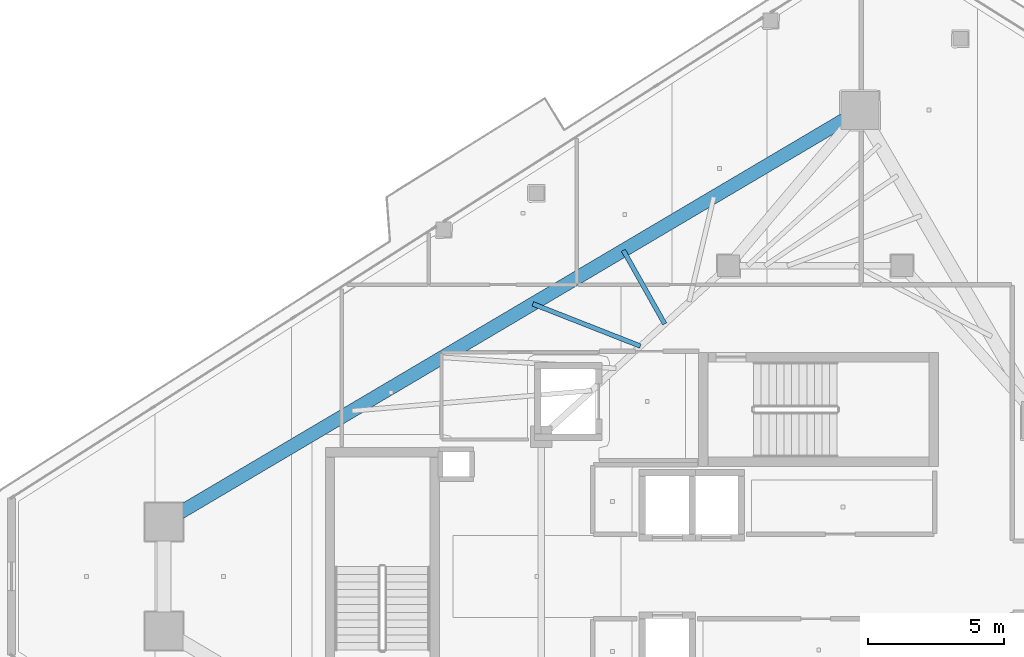
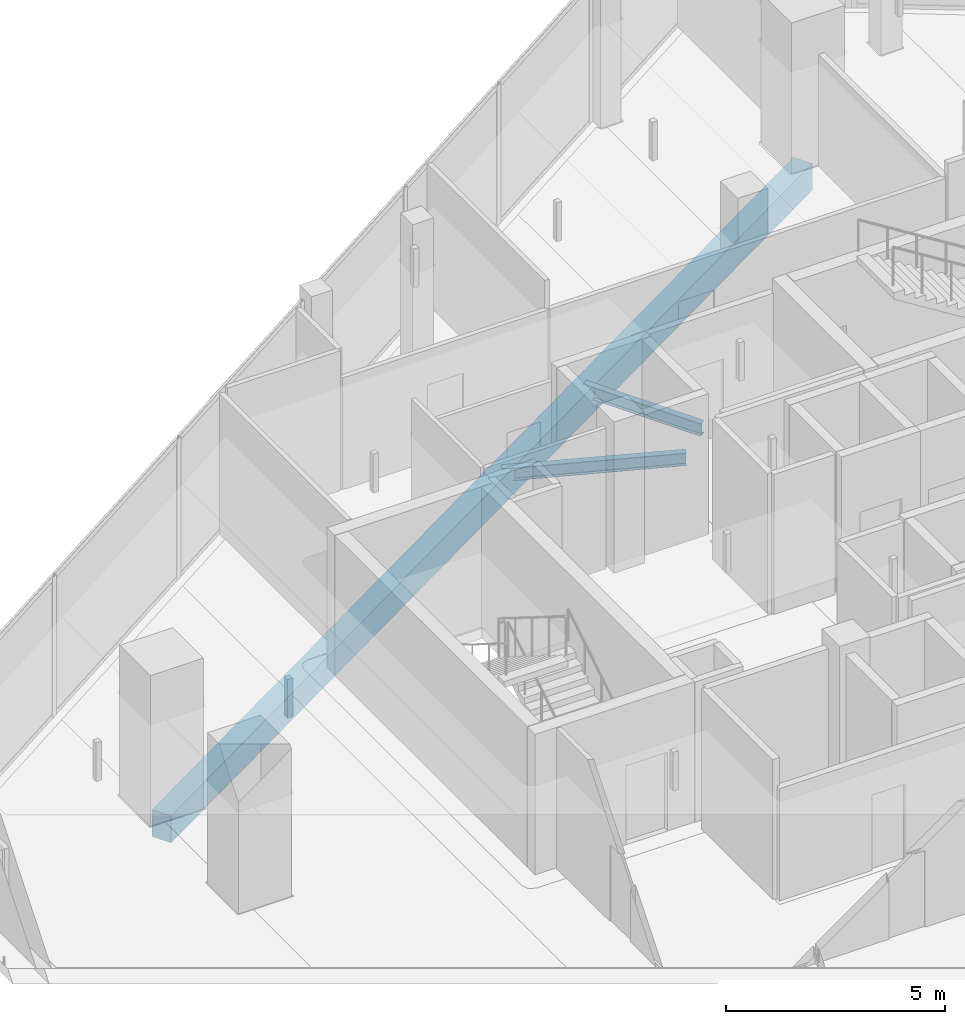
# One storey, part 13 of 27: 3 beams.
"""IFC4 building model written with IfcOpenShell, lengths in metres."""

from ifc_helpers import new_model, si_unit, direction, frame, origin, origin_2d, place, context, subcontext, project, spatial, rectangle, i_section, extrude, material, material_profile, profile_set, type_object, element, save


model = new_model("IFC4")

# Units and contexts
model_context = context("Model", 3, precision=1e-05, world=origin(), true_north=direction((0.0, 1.0)))
body_context = subcontext(model_context, "Body", "Model", "MODEL_VIEW")
ifc_project = project(units=[si_unit("LENGTHUNIT", "METRE"), si_unit("AREAUNIT", "SQUARE_METRE"), si_unit("VOLUMEUNIT", "CUBIC_METRE"), si_unit("PLANEANGLEUNIT", "RADIAN"), si_unit("MASSUNIT", "GRAM", prefix="KILO")], contexts=[model_context])

# Site, building, storey
site_placement = place(None, origin())
site = spatial("IfcSite", under=ifc_project, at=site_placement, CompositionType="ELEMENT")
building_placement = place(site_placement, origin())
building = spatial("IfcBuilding", under=site, at=building_placement, Name="Qorvath Tower", CompositionType="ELEMENT")
storey_placement = place(building_placement, frame((0.0, 0.0, 293.39990234375)))
storey = spatial("IfcBuildingStorey", under=building, at=storey_placement, Name="L68", CompositionType="ELEMENT", Elevation=293.39990234375)

# Beams
ifc_material_1 = material(Name="Steel ASTM A992 Grade 50", Category="steel")
ifc_material_profile_1 = material_profile(ifc_material_1, i_section(OverallWidth=0.1708984375, OverallDepth=0.35107421875, WebThickness=0.0068359375, FlangeThickness=0.009765625, FilletRadius=0.010009765625, at=origin_2d()), Name="W14x30")
ifc_profile_set_1 = profile_set([ifc_material_profile_1], Name="Steel ASTM A992 Grade 50")
beam_type_1 = type_object("IfcBeamType", Name="BM-FJ4", PredefinedType="JOIST", material=ifc_profile_set_1)
beam_1_placement = place(storey_placement, frame((-26.843017578125, 8.489013671875, -0.46533203125), z_axis=(-0.930720832638, 0.365730408489, 0.0), x_axis=(-0.365730408489, -0.930720832638, 0.0)))
element("IfcBeam", 1, at=beam_1_placement, inside=storey, type_object=beam_type_1, Name="Composite Floor Joist NW4 L68", PredefinedType="JOIST", context=body_context, shape_type="SweptSolid", body=[
    extrude(i_section(OverallWidth=0.1708984375, OverallDepth=0.35107421875, WebThickness=0.0068359375, FlangeThickness=0.009765625, FilletRadius=0.010009765625, at=origin_2d()), origin(), (0.0, 0.0, 1.0), 4.259033203125),
])
beam_2_placement = place(storey_placement, frame((-25.946044921875, 9.30810546875, -0.46533203125), z_axis=(-0.490626385489, 0.871370041866, 0.0), x_axis=(-0.871370041866, -0.490626385489, 0.0)))
element("IfcBeam", 2, at=beam_2_placement, inside=storey, type_object=beam_type_1, Name="Composite Floor Joist NW5 L68", PredefinedType="JOIST", context=body_context, shape_type="SweptSolid", body=[
    extrude(i_section(OverallWidth=0.1708984375, OverallDepth=0.35107421875, WebThickness=0.0068359375, FlangeThickness=0.009765625, FilletRadius=0.010009765625, at=origin_2d()), origin(), (0.0, 0.0, 1.0), 3.110595703125),
])
ifc_material_2 = material(Name="Concrete C45/55", Category="concrete")
ifc_material_profile_2 = material_profile(ifc_material_2, rectangle(XDim=0.5, YDim=0.75, at=origin_2d()), Name="RCB 750x500")
ifc_profile_set_2 = profile_set([ifc_material_profile_2], Name="Concrete C45/55")
beam_type_2 = type_object("IfcBeamType", Name="BM-RCB3", PredefinedType="SPANDREL", material=ifc_profile_set_2)
beam_3_placement = place(storey_placement, frame((-18.75048828125, 17.175537109375, -0.664794921875), z_axis=(-0.860780849348, -0.508975765038, 0.0), x_axis=(0.508975765038, -0.860780849348, 0.0)))
element("IfcBeam", 3, at=beam_3_placement, inside=storey, type_object=beam_type_2, Name="Perimeter Loggia Frame Beam MC6-MC1 L68", PredefinedType="SPANDREL", context=body_context, shape_type="SweptSolid", body=[
    extrude(rectangle(XDim=0.5, YDim=0.75, at=origin_2d()), origin(), (0.0, 0.0, 1.0), 29.801025390625),
])

save(model, "model.ifc")
